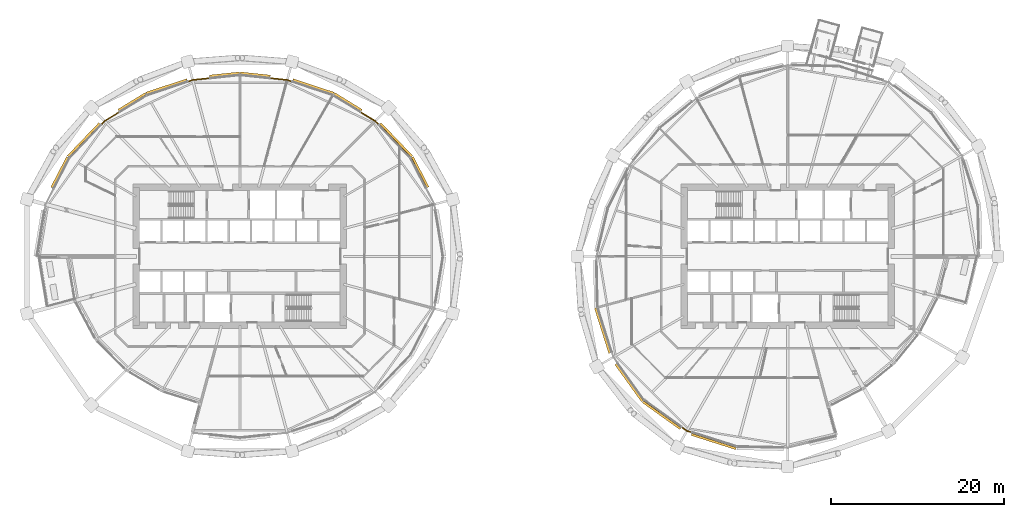
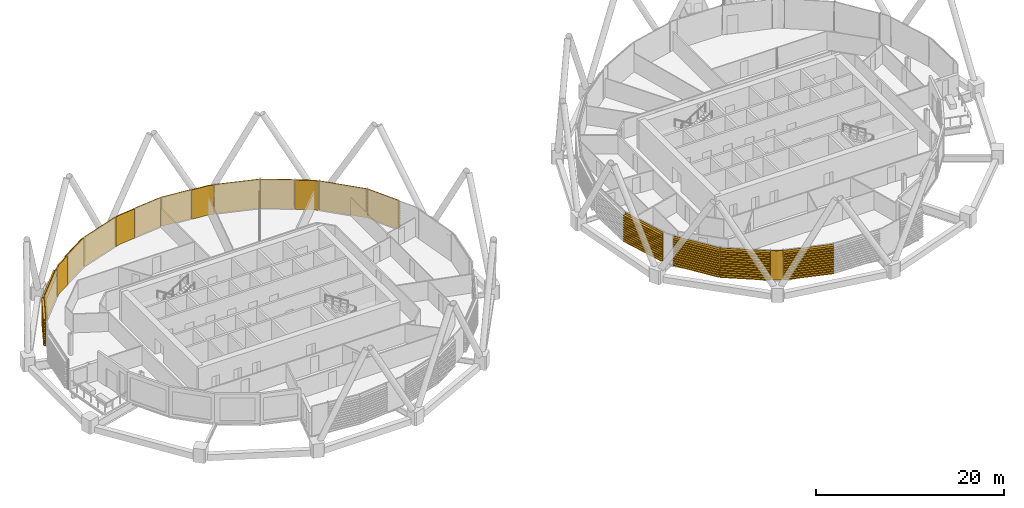
# One storey, part 34 of 38: 19 coverings.
"""IFC4 building model written with IfcOpenShell, lengths in metres."""

from ifc_helpers import new_model, si_unit, direction, frame, origin, place, context, subcontext, project, spatial, polyline, outline, extrude, material, layer, layer_set, material_profile, profile_set, type_object, element, save


model = new_model("IFC4")

# Units and contexts
model_context = context("Model", 3, precision=1e-05, world=origin(), true_north=direction((0.0, 1.0)))
body_context = subcontext(model_context, "Body", "Model", "MODEL_VIEW")
ifc_project = project(units=[si_unit("LENGTHUNIT", "METRE"), si_unit("AREAUNIT", "SQUARE_METRE"), si_unit("VOLUMEUNIT", "CUBIC_METRE"), si_unit("PLANEANGLEUNIT", "RADIAN"), si_unit("MASSUNIT", "GRAM", prefix="KILO")], contexts=[model_context])

# Site, building, storey
site_placement = place(None, origin())
site = spatial("IfcSite", under=ifc_project, at=site_placement, CompositionType="ELEMENT")
building_placement = place(site_placement, origin())
building = spatial("IfcBuilding", under=site, at=building_placement, Name="Rimbun Link Towers", CompositionType="ELEMENT")
storey_placement = place(building_placement, frame((0.0, 0.0, 93.0)))
storey = spatial("IfcBuildingStorey", under=building, at=storey_placement, Name="L22", CompositionType="ELEMENT", Elevation=93.0)

# Coverings
ifc_material_1 = material(Name="Terracotta", Category="masonry")
ifc_layer = layer(ifc_material_1, 0.1201171875)
ifc_layer_set = layer_set([ifc_layer], Name="LINK PIER terracotta cladding 120")
covering_type_1 = type_object("IfcCoveringType", Name="LINK PIER terracotta cladding 120", PredefinedType="CLADDING", material=ifc_layer_set)
covering_1_placement = place(storey_placement, origin())
element("IfcCovering", 1, at=covering_1_placement, inside=storey, type_object=covering_type_1, Name="LINK PIER cladding", PredefinedType="CLADDING", context=body_context, shape_type="SweptSolid", body=[
    extrude(outline(polyline([(-17.78125, 16.678466796875), (-16.102294921875, 15.647705078125), (-15.7080078125, 15.236083984375), (-15.621337890625, 15.319091796875), (-16.0263671875, 15.74169921875), (-17.718505859375, 16.78076171875), (-17.78125, 16.678466796875)])), origin(), (0.0, 0.0, 1.0), 3.800048828125),
])
covering_2_placement = place(storey_placement, origin())
element("IfcCovering", 2, at=covering_2_placement, inside=storey, type_object=covering_type_1, Name="LINK PIER cladding", PredefinedType="CLADDING", context=body_context, shape_type="SweptSolid", body=[
    extrude(outline(polyline([(-28.24267578125, 20.607666015625), (-26.283447265625, 20.4013671875), (-25.742431640625, 20.221923828125), (-25.70458984375, 20.3359375), (-26.258056640625, 20.519287109375), (-28.22998046875, 20.72705078125), (-28.24267578125, 20.607666015625)])), origin(), (0.0, 0.0, 1.0), 3.800048828125),
])
covering_3_placement = place(storey_placement, origin())
element("IfcCovering", 3, at=covering_3_placement, inside=storey, type_object=covering_type_1, Name="LINK PIER cladding", PredefinedType="CLADDING", context=body_context, shape_type="SweptSolid", body=[
    extrude(outline(polyline([(-37.757568359375, 20.221923828125), (-37.216552734375, 20.4013671875), (-35.25732421875, 20.607666015625), (-35.27001953125, 20.72705078125), (-37.241943359375, 20.519287109375), (-37.79541015625, 20.3359375), (-37.757568359375, 20.221923828125)])), origin(), (0.0, 0.0, 1.0), 3.800048828125),
])
covering_4_placement = place(storey_placement, origin())
element("IfcCovering", 4, at=covering_4_placement, inside=storey, type_object=covering_type_1, Name="LINK PIER cladding", PredefinedType="CLADDING", context=body_context, shape_type="SweptSolid", body=[
    extrude(outline(polyline([(-47.7919921875, 15.236083984375), (-47.397705078125, 15.647705078125), (-45.71875, 16.678466796875), (-45.781494140625, 16.78076171875), (-47.4736328125, 15.74169921875), (-47.878662109375, 15.319091796875), (-47.7919921875, 15.236083984375)])), origin(), (0.0, 0.0, 1.0), 3.800048828125),
])
covering_5_placement = place(storey_placement, origin())
element("IfcCovering", 5, at=covering_5_placement, inside=storey, type_object=covering_type_1, Name="LINK PIER cladding", PredefinedType="CLADDING", context=body_context, shape_type="SweptSolid", body=[
    extrude(outline(polyline([(20.644775390625, -20.34814453125), (20.101806640625, -20.175537109375), (19.5166015625, -19.755859375), (19.44677734375, -19.853271484375), (20.047119140625, -20.2841796875), (20.608642578125, -20.462646484375), (20.644775390625, -20.34814453125)])), origin(), (0.0, 0.0, 1.0), 3.800048828125),
])
ifc_material_2 = material(Name="Terracotta", Category="masonry")
ifc_material_profile = material_profile(ifc_material_2, outline(polyline([(0.123046875, 0.0), (0.1630859375, 0.0), (0.1630859375, 0.10009765625), (0.423095703125, 0.10009765625), (0.423095703125, 0.219970703125), (0.1630859375, 0.219970703125), (0.1630859375, 0.39990234375), (0.423095703125, 0.39990234375), (0.423095703125, 0.52001953125), (0.1630859375, 0.52001953125), (0.1630859375, 0.699951171875), (0.423095703125, 0.699951171875), (0.423095703125, 0.820068359375), (0.1630859375, 0.820068359375), (0.1630859375, 1.0), (0.423095703125, 1.0), (0.423095703125, 1.1201171875), (0.1630859375, 1.1201171875), (0.1630859375, 1.300048828125), (0.423095703125, 1.300048828125), (0.423095703125, 1.419921875), (0.1630859375, 1.419921875), (0.1630859375, 1.60009765625), (0.423095703125, 1.60009765625), (0.423095703125, 1.719970703125), (0.1630859375, 1.719970703125), (0.1630859375, 1.89990234375), (0.423095703125, 1.89990234375), (0.423095703125, 2.02001953125), (0.1630859375, 2.02001953125), (0.1630859375, 2.199951171875), (0.423095703125, 2.199951171875), (0.423095703125, 2.320068359375), (0.1630859375, 2.320068359375), (0.1630859375, 2.5), (0.423095703125, 2.5), (0.423095703125, 2.6201171875), (0.1630859375, 2.6201171875), (0.1630859375, 2.800048828125), (0.423095703125, 2.800048828125), (0.423095703125, 2.919921875), (0.1630859375, 2.919921875), (0.1630859375, 3.10009765625), (0.423095703125, 3.10009765625), (0.423095703125, 3.219970703125), (0.1630859375, 3.219970703125), (0.1630859375, 3.39990234375), (0.423095703125, 3.39990234375), (0.423095703125, 3.52001953125), (0.1630859375, 3.52001953125), (0.1630859375, 3.800048828125), (0.123046875, 3.800048828125), (0.123046875, 0.0)])), Name="BAGUETTE 120X300")
ifc_profile_set = profile_set([ifc_material_profile], Name="Terracotta")
covering_type_2 = type_object("IfcCoveringType", Name="TERRACOTTA BAGUETTE 120X300 H3800", PredefinedType="CLADDING", material=ifc_profile_set)
covering_6_placement = place(storey_placement, frame((-12.02099609375, 11.390380859375, 0.0), z_axis=(0.459576472812, -0.888138201879, 0.0), x_axis=(0.888138201879, 0.459576472812, 0.0)))
element("IfcCovering", 6, at=covering_6_placement, inside=storey, type_object=covering_type_2, Name="TERRACOTTA BAGUETTE", PredefinedType="CLADDING", context=body_context, shape_type="SweptSolid", body=[
    extrude(outline(polyline([(0.123046875, 0.0), (0.1630859375, 0.0), (0.1630859375, 0.10009765625), (0.423095703125, 0.10009765625), (0.423095703125, 0.219970703125), (0.1630859375, 0.219970703125), (0.1630859375, 0.39990234375), (0.423095703125, 0.39990234375), (0.423095703125, 0.52001953125), (0.1630859375, 0.52001953125), (0.1630859375, 0.699951171875), (0.423095703125, 0.699951171875), (0.423095703125, 0.820068359375), (0.1630859375, 0.820068359375), (0.1630859375, 1.0), (0.423095703125, 1.0), (0.423095703125, 1.1201171875), (0.1630859375, 1.1201171875), (0.1630859375, 1.300048828125), (0.423095703125, 1.300048828125), (0.423095703125, 1.419921875), (0.1630859375, 1.419921875), (0.1630859375, 1.60009765625), (0.423095703125, 1.60009765625), (0.423095703125, 1.719970703125), (0.1630859375, 1.719970703125), (0.1630859375, 1.89990234375), (0.423095703125, 1.89990234375), (0.423095703125, 2.02001953125), (0.1630859375, 2.02001953125), (0.1630859375, 2.199951171875), (0.423095703125, 2.199951171875), (0.423095703125, 2.320068359375), (0.1630859375, 2.320068359375), (0.1630859375, 2.5), (0.423095703125, 2.5), (0.423095703125, 2.6201171875), (0.1630859375, 2.6201171875), (0.1630859375, 2.800048828125), (0.423095703125, 2.800048828125), (0.423095703125, 2.919921875), (0.1630859375, 2.919921875), (0.1630859375, 3.10009765625), (0.423095703125, 3.10009765625), (0.423095703125, 3.219970703125), (0.1630859375, 3.219970703125), (0.1630859375, 3.39990234375), (0.423095703125, 3.39990234375), (0.423095703125, 3.52001953125), (0.1630859375, 3.52001953125), (0.1630859375, 3.800048828125), (0.123046875, 3.800048828125), (0.123046875, 0.0)])), origin(), (0.0, 0.0, 1.0), 3.935791015625),
])
covering_7_placement = place(storey_placement, frame((-15.687255859375, 15.214599609375, 0.0), z_axis=(0.6920414756, -0.721857739482, 0.0), x_axis=(0.721857739482, 0.6920414756, 0.0)))
element("IfcCovering", 7, at=covering_7_placement, inside=storey, type_object=covering_type_2, Name="TERRACOTTA BAGUETTE", PredefinedType="CLADDING", context=body_context, shape_type="SweptSolid", body=[
    extrude(outline(polyline([(0.123046875, 0.0), (0.1630859375, 0.0), (0.1630859375, 0.10009765625), (0.423095703125, 0.10009765625), (0.423095703125, 0.219970703125), (0.1630859375, 0.219970703125), (0.1630859375, 0.39990234375), (0.423095703125, 0.39990234375), (0.423095703125, 0.52001953125), (0.1630859375, 0.52001953125), (0.1630859375, 0.699951171875), (0.423095703125, 0.699951171875), (0.423095703125, 0.820068359375), (0.1630859375, 0.820068359375), (0.1630859375, 1.0), (0.423095703125, 1.0), (0.423095703125, 1.1201171875), (0.1630859375, 1.1201171875), (0.1630859375, 1.300048828125), (0.423095703125, 1.300048828125), (0.423095703125, 1.419921875), (0.1630859375, 1.419921875), (0.1630859375, 1.60009765625), (0.423095703125, 1.60009765625), (0.423095703125, 1.719970703125), (0.1630859375, 1.719970703125), (0.1630859375, 1.89990234375), (0.423095703125, 1.89990234375), (0.423095703125, 2.02001953125), (0.1630859375, 2.02001953125), (0.1630859375, 2.199951171875), (0.423095703125, 2.199951171875), (0.423095703125, 2.320068359375), (0.1630859375, 2.320068359375), (0.1630859375, 2.5), (0.423095703125, 2.5), (0.423095703125, 2.6201171875), (0.1630859375, 2.6201171875), (0.1630859375, 2.800048828125), (0.423095703125, 2.800048828125), (0.423095703125, 2.919921875), (0.1630859375, 2.919921875), (0.1630859375, 3.10009765625), (0.423095703125, 3.10009765625), (0.423095703125, 3.219970703125), (0.1630859375, 3.219970703125), (0.1630859375, 3.39990234375), (0.423095703125, 3.39990234375), (0.423095703125, 3.52001953125), (0.1630859375, 3.52001953125), (0.1630859375, 3.800048828125), (0.123046875, 3.800048828125), (0.123046875, 0.0)])), origin(), (0.0, 0.0, 1.0), 5.2978515625),
])
covering_8_placement = place(storey_placement, frame((-20.985107421875, 18.6455078125, 0.0), z_axis=(0.852186076531, -0.523238846959, 0.0), x_axis=(0.523238846959, 0.852186076531, 0.0)))
element("IfcCovering", 8, at=covering_8_placement, inside=storey, type_object=covering_type_2, Name="TERRACOTTA BAGUETTE", PredefinedType="CLADDING", context=body_context, shape_type="SweptSolid", body=[
    extrude(outline(polyline([(0.123046875, 0.0), (0.1630859375, 0.0), (0.1630859375, 0.10009765625), (0.423095703125, 0.10009765625), (0.423095703125, 0.219970703125), (0.1630859375, 0.219970703125), (0.1630859375, 0.39990234375), (0.423095703125, 0.39990234375), (0.423095703125, 0.52001953125), (0.1630859375, 0.52001953125), (0.1630859375, 0.699951171875), (0.423095703125, 0.699951171875), (0.423095703125, 0.820068359375), (0.1630859375, 0.820068359375), (0.1630859375, 1.0), (0.423095703125, 1.0), (0.423095703125, 1.1201171875), (0.1630859375, 1.1201171875), (0.1630859375, 1.300048828125), (0.423095703125, 1.300048828125), (0.423095703125, 1.419921875), (0.1630859375, 1.419921875), (0.1630859375, 1.60009765625), (0.423095703125, 1.60009765625), (0.423095703125, 1.719970703125), (0.1630859375, 1.719970703125), (0.1630859375, 1.89990234375), (0.423095703125, 1.89990234375), (0.423095703125, 2.02001953125), (0.1630859375, 2.02001953125), (0.1630859375, 2.199951171875), (0.423095703125, 2.199951171875), (0.423095703125, 2.320068359375), (0.1630859375, 2.320068359375), (0.1630859375, 2.5), (0.423095703125, 2.5), (0.423095703125, 2.6201171875), (0.1630859375, 2.6201171875), (0.1630859375, 2.800048828125), (0.423095703125, 2.800048828125), (0.423095703125, 2.919921875), (0.1630859375, 2.919921875), (0.1630859375, 3.10009765625), (0.423095703125, 3.10009765625), (0.423095703125, 3.219970703125), (0.1630859375, 3.219970703125), (0.1630859375, 3.39990234375), (0.423095703125, 3.39990234375), (0.423095703125, 3.52001953125), (0.1630859375, 3.52001953125), (0.1630859375, 3.800048828125), (0.123046875, 3.800048828125), (0.123046875, 0.0)])), origin(), (0.0, 0.0, 1.0), 3.7294921875),
])
covering_9_placement = place(storey_placement, frame((-25.7138671875, 20.212646484375, 0.0), z_axis=(0.949230755565, -0.314580629871, 0.0), x_axis=(0.314580629871, 0.949230755565, 0.0)))
element("IfcCovering", 9, at=covering_9_placement, inside=storey, type_object=covering_type_2, Name="TERRACOTTA BAGUETTE", PredefinedType="CLADDING", context=body_context, shape_type="SweptSolid", body=[
    extrude(outline(polyline([(0.123046875, 0.0), (0.1630859375, 0.0), (0.1630859375, 0.10009765625), (0.423095703125, 0.10009765625), (0.423095703125, 0.219970703125), (0.1630859375, 0.219970703125), (0.1630859375, 0.39990234375), (0.423095703125, 0.39990234375), (0.423095703125, 0.52001953125), (0.1630859375, 0.52001953125), (0.1630859375, 0.699951171875), (0.423095703125, 0.699951171875), (0.423095703125, 0.820068359375), (0.1630859375, 0.820068359375), (0.1630859375, 1.0), (0.423095703125, 1.0), (0.423095703125, 1.1201171875), (0.1630859375, 1.1201171875), (0.1630859375, 1.300048828125), (0.423095703125, 1.300048828125), (0.423095703125, 1.419921875), (0.1630859375, 1.419921875), (0.1630859375, 1.60009765625), (0.423095703125, 1.60009765625), (0.423095703125, 1.719970703125), (0.1630859375, 1.719970703125), (0.1630859375, 1.89990234375), (0.423095703125, 1.89990234375), (0.423095703125, 2.02001953125), (0.1630859375, 2.02001953125), (0.1630859375, 2.199951171875), (0.423095703125, 2.199951171875), (0.423095703125, 2.320068359375), (0.1630859375, 2.320068359375), (0.1630859375, 2.5), (0.423095703125, 2.5), (0.423095703125, 2.6201171875), (0.1630859375, 2.6201171875), (0.1630859375, 2.800048828125), (0.423095703125, 2.800048828125), (0.423095703125, 2.919921875), (0.1630859375, 2.919921875), (0.1630859375, 3.10009765625), (0.423095703125, 3.10009765625), (0.423095703125, 3.219970703125), (0.1630859375, 3.219970703125), (0.1630859375, 3.39990234375), (0.423095703125, 3.39990234375), (0.423095703125, 3.52001953125), (0.1630859375, 3.52001953125), (0.1630859375, 3.800048828125), (0.123046875, 3.800048828125), (0.123046875, 0.0)])), origin(), (0.0, 0.0, 1.0), 4.981689453125),
])
for number, where, z_axis, x_axis, name in (
    (10, (-31.75, 20.97705078125, 0.0), (0.994500861131, -0.104728397339, 0.0), (0.104728397339, 0.994500861131, 0.0), "TERRACOTTA BAGUETTE"),
    (11, (-35.2275390625, 20.61083984375, 0.0), (0.994500861131, 0.104728397339, 0.0), (-0.104728397339, 0.994500861131, 0.0), "TERRACOTTA BAGUETTE"),
):
    element("IfcCovering", number, at=place(storey_placement, frame(where, z_axis=z_axis, x_axis=x_axis)), inside=storey, type_object=covering_type_2, Name=name, PredefinedType="CLADDING", context=body_context, shape_type="SweptSolid", body=[
        extrude(outline(polyline([(0.123046875, 0.0), (0.1630859375, 0.0), (0.1630859375, 0.10009765625), (0.423095703125, 0.10009765625), (0.423095703125, 0.219970703125), (0.1630859375, 0.219970703125), (0.1630859375, 0.39990234375), (0.423095703125, 0.39990234375), (0.423095703125, 0.52001953125), (0.1630859375, 0.52001953125), (0.1630859375, 0.699951171875), (0.423095703125, 0.699951171875), (0.423095703125, 0.820068359375), (0.1630859375, 0.820068359375), (0.1630859375, 1.0), (0.423095703125, 1.0), (0.423095703125, 1.1201171875), (0.1630859375, 1.1201171875), (0.1630859375, 1.300048828125), (0.423095703125, 1.300048828125), (0.423095703125, 1.419921875), (0.1630859375, 1.419921875), (0.1630859375, 1.60009765625), (0.423095703125, 1.60009765625), (0.423095703125, 1.719970703125), (0.1630859375, 1.719970703125), (0.1630859375, 1.89990234375), (0.423095703125, 1.89990234375), (0.423095703125, 2.02001953125), (0.1630859375, 2.02001953125), (0.1630859375, 2.199951171875), (0.423095703125, 2.199951171875), (0.423095703125, 2.320068359375), (0.1630859375, 2.320068359375), (0.1630859375, 2.5), (0.423095703125, 2.5), (0.423095703125, 2.6201171875), (0.1630859375, 2.6201171875), (0.1630859375, 2.800048828125), (0.423095703125, 2.800048828125), (0.423095703125, 2.919921875), (0.1630859375, 2.919921875), (0.1630859375, 3.10009765625), (0.423095703125, 3.10009765625), (0.423095703125, 3.219970703125), (0.1630859375, 3.219970703125), (0.1630859375, 3.39990234375), (0.423095703125, 3.39990234375), (0.423095703125, 3.52001953125), (0.1630859375, 3.52001953125), (0.1630859375, 3.800048828125), (0.123046875, 3.800048828125), (0.123046875, 0.0)])), origin(), (0.0, 0.0, 1.0), 3.496826171875),
    ])
covering_10_placement = place(storey_placement, frame((-42.514892578125, 18.6455078125, 0.0), z_axis=(0.949230755565, 0.314580629871, 0.0), x_axis=(-0.314580629871, 0.949230755565, 0.0)))
element("IfcCovering", 12, at=covering_10_placement, inside=storey, type_object=covering_type_2, Name="TERRACOTTA BAGUETTE", PredefinedType="CLADDING", context=body_context, shape_type="SweptSolid", body=[
    extrude(outline(polyline([(0.123046875, 0.0), (0.1630859375, 0.0), (0.1630859375, 0.10009765625), (0.423095703125, 0.10009765625), (0.423095703125, 0.219970703125), (0.1630859375, 0.219970703125), (0.1630859375, 0.39990234375), (0.423095703125, 0.39990234375), (0.423095703125, 0.52001953125), (0.1630859375, 0.52001953125), (0.1630859375, 0.699951171875), (0.423095703125, 0.699951171875), (0.423095703125, 0.820068359375), (0.1630859375, 0.820068359375), (0.1630859375, 1.0), (0.423095703125, 1.0), (0.423095703125, 1.1201171875), (0.1630859375, 1.1201171875), (0.1630859375, 1.300048828125), (0.423095703125, 1.300048828125), (0.423095703125, 1.419921875), (0.1630859375, 1.419921875), (0.1630859375, 1.60009765625), (0.423095703125, 1.60009765625), (0.423095703125, 1.719970703125), (0.1630859375, 1.719970703125), (0.1630859375, 1.89990234375), (0.423095703125, 1.89990234375), (0.423095703125, 2.02001953125), (0.1630859375, 2.02001953125), (0.1630859375, 2.199951171875), (0.423095703125, 2.199951171875), (0.423095703125, 2.320068359375), (0.1630859375, 2.320068359375), (0.1630859375, 2.5), (0.423095703125, 2.5), (0.423095703125, 2.6201171875), (0.1630859375, 2.6201171875), (0.1630859375, 2.800048828125), (0.423095703125, 2.800048828125), (0.423095703125, 2.919921875), (0.1630859375, 2.919921875), (0.1630859375, 3.10009765625), (0.423095703125, 3.10009765625), (0.423095703125, 3.219970703125), (0.1630859375, 3.219970703125), (0.1630859375, 3.39990234375), (0.423095703125, 3.39990234375), (0.423095703125, 3.52001953125), (0.1630859375, 3.52001953125), (0.1630859375, 3.800048828125), (0.123046875, 3.800048828125), (0.123046875, 0.0)])), origin(), (0.0, 0.0, 1.0), 4.981689453125),
])
covering_11_placement = place(storey_placement, frame((-45.693115234375, 16.694091796875, 0.0), z_axis=(0.852186076531, 0.523238846959, 0.0), x_axis=(-0.523238846959, 0.852186076531, 0.0)))
element("IfcCovering", 13, at=covering_11_placement, inside=storey, type_object=covering_type_2, Name="TERRACOTTA BAGUETTE", PredefinedType="CLADDING", context=body_context, shape_type="SweptSolid", body=[
    extrude(outline(polyline([(0.123046875, 0.0), (0.1630859375, 0.0), (0.1630859375, 0.10009765625), (0.423095703125, 0.10009765625), (0.423095703125, 0.219970703125), (0.1630859375, 0.219970703125), (0.1630859375, 0.39990234375), (0.423095703125, 0.39990234375), (0.423095703125, 0.52001953125), (0.1630859375, 0.52001953125), (0.1630859375, 0.699951171875), (0.423095703125, 0.699951171875), (0.423095703125, 0.820068359375), (0.1630859375, 0.820068359375), (0.1630859375, 1.0), (0.423095703125, 1.0), (0.423095703125, 1.1201171875), (0.1630859375, 1.1201171875), (0.1630859375, 1.300048828125), (0.423095703125, 1.300048828125), (0.423095703125, 1.419921875), (0.1630859375, 1.419921875), (0.1630859375, 1.60009765625), (0.423095703125, 1.60009765625), (0.423095703125, 1.719970703125), (0.1630859375, 1.719970703125), (0.1630859375, 1.89990234375), (0.423095703125, 1.89990234375), (0.423095703125, 2.02001953125), (0.1630859375, 2.02001953125), (0.1630859375, 2.199951171875), (0.423095703125, 2.199951171875), (0.423095703125, 2.320068359375), (0.1630859375, 2.320068359375), (0.1630859375, 2.5), (0.423095703125, 2.5), (0.423095703125, 2.6201171875), (0.1630859375, 2.6201171875), (0.1630859375, 2.800048828125), (0.423095703125, 2.800048828125), (0.423095703125, 2.919921875), (0.1630859375, 2.919921875), (0.1630859375, 3.10009765625), (0.423095703125, 3.10009765625), (0.423095703125, 3.219970703125), (0.1630859375, 3.219970703125), (0.1630859375, 3.39990234375), (0.423095703125, 3.39990234375), (0.423095703125, 3.52001953125), (0.1630859375, 3.52001953125), (0.1630859375, 3.800048828125), (0.123046875, 3.800048828125), (0.123046875, 0.0)])), origin(), (0.0, 0.0, 1.0), 3.7294921875),
])
covering_12_placement = place(storey_placement, frame((-51.47900390625, 11.390380859375, 0.0), z_axis=(0.6920414756, 0.721857739482, 0.0), x_axis=(-0.721857739482, 0.6920414756, 0.0)))
element("IfcCovering", 14, at=covering_12_placement, inside=storey, type_object=covering_type_2, Name="TERRACOTTA BAGUETTE", PredefinedType="CLADDING", context=body_context, shape_type="SweptSolid", body=[
    extrude(outline(polyline([(0.123046875, 0.0), (0.1630859375, 0.0), (0.1630859375, 0.10009765625), (0.423095703125, 0.10009765625), (0.423095703125, 0.219970703125), (0.1630859375, 0.219970703125), (0.1630859375, 0.39990234375), (0.423095703125, 0.39990234375), (0.423095703125, 0.52001953125), (0.1630859375, 0.52001953125), (0.1630859375, 0.699951171875), (0.423095703125, 0.699951171875), (0.423095703125, 0.820068359375), (0.1630859375, 0.820068359375), (0.1630859375, 1.0), (0.423095703125, 1.0), (0.423095703125, 1.1201171875), (0.1630859375, 1.1201171875), (0.1630859375, 1.300048828125), (0.423095703125, 1.300048828125), (0.423095703125, 1.419921875), (0.1630859375, 1.419921875), (0.1630859375, 1.60009765625), (0.423095703125, 1.60009765625), (0.423095703125, 1.719970703125), (0.1630859375, 1.719970703125), (0.1630859375, 1.89990234375), (0.423095703125, 1.89990234375), (0.423095703125, 2.02001953125), (0.1630859375, 2.02001953125), (0.1630859375, 2.199951171875), (0.423095703125, 2.199951171875), (0.423095703125, 2.320068359375), (0.1630859375, 2.320068359375), (0.1630859375, 2.5), (0.423095703125, 2.5), (0.423095703125, 2.6201171875), (0.1630859375, 2.6201171875), (0.1630859375, 2.800048828125), (0.423095703125, 2.800048828125), (0.423095703125, 2.919921875), (0.1630859375, 2.919921875), (0.1630859375, 3.10009765625), (0.423095703125, 3.10009765625), (0.423095703125, 3.219970703125), (0.1630859375, 3.219970703125), (0.1630859375, 3.39990234375), (0.423095703125, 3.39990234375), (0.423095703125, 3.52001953125), (0.1630859375, 3.52001953125), (0.1630859375, 3.800048828125), (0.123046875, 3.800048828125), (0.123046875, 0.0)])), origin(), (0.0, 0.0, 1.0), 5.2978515625),
])
covering_13_placement = place(storey_placement, frame((-53.310791015625, 7.850341796875, 0.0), z_axis=(0.459567881629, 0.888142647425, 0.0), x_axis=(-0.888142647425, 0.459567881629, 0.0)))
element("IfcCovering", 15, at=covering_13_placement, inside=storey, type_object=covering_type_2, Name="TERRACOTTA BAGUETTE", PredefinedType="CLADDING", context=body_context, shape_type="SweptSolid", body=[
    extrude(outline(polyline([(0.123046875, 0.0), (0.1630859375, 0.0), (0.1630859375, 0.10009765625), (0.423095703125, 0.10009765625), (0.423095703125, 0.219970703125), (0.1630859375, 0.219970703125), (0.1630859375, 0.39990234375), (0.423095703125, 0.39990234375), (0.423095703125, 0.52001953125), (0.1630859375, 0.52001953125), (0.1630859375, 0.699951171875), (0.423095703125, 0.699951171875), (0.423095703125, 0.820068359375), (0.1630859375, 0.820068359375), (0.1630859375, 1.0), (0.423095703125, 1.0), (0.423095703125, 1.1201171875), (0.1630859375, 1.1201171875), (0.1630859375, 1.300048828125), (0.423095703125, 1.300048828125), (0.423095703125, 1.419921875), (0.1630859375, 1.419921875), (0.1630859375, 1.60009765625), (0.423095703125, 1.60009765625), (0.423095703125, 1.719970703125), (0.1630859375, 1.719970703125), (0.1630859375, 1.89990234375), (0.423095703125, 1.89990234375), (0.423095703125, 2.02001953125), (0.1630859375, 2.02001953125), (0.1630859375, 2.199951171875), (0.423095703125, 2.199951171875), (0.423095703125, 2.320068359375), (0.1630859375, 2.320068359375), (0.1630859375, 2.5), (0.423095703125, 2.5), (0.423095703125, 2.6201171875), (0.1630859375, 2.6201171875), (0.1630859375, 2.800048828125), (0.423095703125, 2.800048828125), (0.423095703125, 2.919921875), (0.1630859375, 2.919921875), (0.1630859375, 3.10009765625), (0.423095703125, 3.10009765625), (0.423095703125, 3.219970703125), (0.1630859375, 3.219970703125), (0.1630859375, 3.39990234375), (0.423095703125, 3.39990234375), (0.423095703125, 3.52001953125), (0.1630859375, 3.52001953125), (0.1630859375, 3.800048828125), (0.123046875, 3.800048828125), (0.123046875, 0.0)])), origin(), (0.0, 0.0, 1.0), 3.98583984375),
])
covering_14_placement = place(storey_placement, frame((11.40771484375, -11.124267578125, 0.0), z_axis=(-0.303060378287, 0.952971356921, 0.0), x_axis=(-0.952971356921, -0.303060378287, 0.0)))
element("IfcCovering", 16, at=covering_14_placement, inside=storey, type_object=covering_type_2, Name="TERRACOTTA BAGUETTE", PredefinedType="CLADDING", context=body_context, shape_type="SweptSolid", body=[
    extrude(outline(polyline([(0.123046875, 0.0), (0.1630859375, 0.0), (0.1630859375, 0.10009765625), (0.423095703125, 0.10009765625), (0.423095703125, 0.219970703125), (0.1630859375, 0.219970703125), (0.1630859375, 0.39990234375), (0.423095703125, 0.39990234375), (0.423095703125, 0.52001953125), (0.1630859375, 0.52001953125), (0.1630859375, 0.699951171875), (0.423095703125, 0.699951171875), (0.423095703125, 0.820068359375), (0.1630859375, 0.820068359375), (0.1630859375, 1.0), (0.423095703125, 1.0), (0.423095703125, 1.1201171875), (0.1630859375, 1.1201171875), (0.1630859375, 1.300048828125), (0.423095703125, 1.300048828125), (0.423095703125, 1.419921875), (0.1630859375, 1.419921875), (0.1630859375, 1.60009765625), (0.423095703125, 1.60009765625), (0.423095703125, 1.719970703125), (0.1630859375, 1.719970703125), (0.1630859375, 1.89990234375), (0.423095703125, 1.89990234375), (0.423095703125, 2.02001953125), (0.1630859375, 2.02001953125), (0.1630859375, 2.199951171875), (0.423095703125, 2.199951171875), (0.423095703125, 2.320068359375), (0.1630859375, 2.320068359375), (0.1630859375, 2.5), (0.423095703125, 2.5), (0.423095703125, 2.6201171875), (0.1630859375, 2.6201171875), (0.1630859375, 2.800048828125), (0.423095703125, 2.800048828125), (0.423095703125, 2.919921875), (0.1630859375, 2.919921875), (0.1630859375, 3.10009765625), (0.423095703125, 3.10009765625), (0.423095703125, 3.219970703125), (0.1630859375, 3.219970703125), (0.1630859375, 3.39990234375), (0.423095703125, 3.39990234375), (0.423095703125, 3.52001953125), (0.1630859375, 3.52001953125), (0.1630859375, 3.800048828125), (0.123046875, 3.800048828125), (0.123046875, 0.0)])), origin(), (0.0, 0.0, 1.0), 5.486083984375),
])
covering_15_placement = place(storey_placement, frame((15.136962890625, -16.613037109375, 0.0), z_axis=(-0.582985073228, 0.812482864061, 0.0), x_axis=(-0.812482864061, -0.582985073228, 0.0)))
element("IfcCovering", 17, at=covering_15_placement, inside=storey, type_object=covering_type_2, Name="TERRACOTTA BAGUETTE", PredefinedType="CLADDING", context=body_context, shape_type="SweptSolid", body=[
    extrude(outline(polyline([(0.123046875, 0.0), (0.1630859375, 0.0), (0.1630859375, 0.10009765625), (0.423095703125, 0.10009765625), (0.423095703125, 0.219970703125), (0.1630859375, 0.219970703125), (0.1630859375, 0.39990234375), (0.423095703125, 0.39990234375), (0.423095703125, 0.52001953125), (0.1630859375, 0.52001953125), (0.1630859375, 0.699951171875), (0.423095703125, 0.699951171875), (0.423095703125, 0.820068359375), (0.1630859375, 0.820068359375), (0.1630859375, 1.0), (0.423095703125, 1.0), (0.423095703125, 1.1201171875), (0.1630859375, 1.1201171875), (0.1630859375, 1.300048828125), (0.423095703125, 1.300048828125), (0.423095703125, 1.419921875), (0.1630859375, 1.419921875), (0.1630859375, 1.60009765625), (0.423095703125, 1.60009765625), (0.423095703125, 1.719970703125), (0.1630859375, 1.719970703125), (0.1630859375, 1.89990234375), (0.423095703125, 1.89990234375), (0.423095703125, 2.02001953125), (0.1630859375, 2.02001953125), (0.1630859375, 2.199951171875), (0.423095703125, 2.199951171875), (0.423095703125, 2.320068359375), (0.1630859375, 2.320068359375), (0.1630859375, 2.5), (0.423095703125, 2.5), (0.423095703125, 2.6201171875), (0.1630859375, 2.6201171875), (0.1630859375, 2.800048828125), (0.423095703125, 2.800048828125), (0.423095703125, 2.919921875), (0.1630859375, 2.919921875), (0.1630859375, 3.10009765625), (0.423095703125, 3.10009765625), (0.423095703125, 3.219970703125), (0.1630859375, 3.219970703125), (0.1630859375, 3.39990234375), (0.423095703125, 3.39990234375), (0.423095703125, 3.52001953125), (0.1630859375, 3.52001953125), (0.1630859375, 3.800048828125), (0.123046875, 3.800048828125), (0.123046875, 0.0)])), origin(), (0.0, 0.0, 1.0), 5.310546875),
])
covering_16_placement = place(storey_placement, frame((19.492431640625, -19.73828125, 0.0), z_axis=(-0.812479161919, 0.58299023272, 0.0), x_axis=(-0.58299023272, -0.812479161919, 0.0)))
element("IfcCovering", 18, at=covering_16_placement, inside=storey, type_object=covering_type_2, Name="TERRACOTTA BAGUETTE", PredefinedType="CLADDING", context=body_context, shape_type="SweptSolid", body=[
    extrude(outline(polyline([(0.123046875, 0.0), (0.1630859375, 0.0), (0.1630859375, 0.10009765625), (0.423095703125, 0.10009765625), (0.423095703125, 0.219970703125), (0.1630859375, 0.219970703125), (0.1630859375, 0.39990234375), (0.423095703125, 0.39990234375), (0.423095703125, 0.52001953125), (0.1630859375, 0.52001953125), (0.1630859375, 0.699951171875), (0.423095703125, 0.699951171875), (0.423095703125, 0.820068359375), (0.1630859375, 0.820068359375), (0.1630859375, 1.0), (0.423095703125, 1.0), (0.423095703125, 1.1201171875), (0.1630859375, 1.1201171875), (0.1630859375, 1.300048828125), (0.423095703125, 1.300048828125), (0.423095703125, 1.419921875), (0.1630859375, 1.419921875), (0.1630859375, 1.60009765625), (0.423095703125, 1.60009765625), (0.423095703125, 1.719970703125), (0.1630859375, 1.719970703125), (0.1630859375, 1.89990234375), (0.423095703125, 1.89990234375), (0.423095703125, 2.02001953125), (0.1630859375, 2.02001953125), (0.1630859375, 2.199951171875), (0.423095703125, 2.199951171875), (0.423095703125, 2.320068359375), (0.1630859375, 2.320068359375), (0.1630859375, 2.5), (0.423095703125, 2.5), (0.423095703125, 2.6201171875), (0.1630859375, 2.6201171875), (0.1630859375, 2.800048828125), (0.423095703125, 2.800048828125), (0.423095703125, 2.919921875), (0.1630859375, 2.919921875), (0.1630859375, 3.10009765625), (0.423095703125, 3.10009765625), (0.423095703125, 3.219970703125), (0.1630859375, 3.219970703125), (0.1630859375, 3.39990234375), (0.423095703125, 3.39990234375), (0.423095703125, 3.52001953125), (0.1630859375, 3.52001953125), (0.1630859375, 3.800048828125), (0.123046875, 3.800048828125), (0.123046875, 0.0)])), origin(), (0.0, 0.0, 1.0), 5.360595703125),
])
covering_17_placement = place(storey_placement, frame((25.853759765625, -22.0048828125, 0.0), z_axis=(-0.952967060933, 0.303073886661, 0.0), x_axis=(-0.303073886661, -0.952967060933, 0.0)))
element("IfcCovering", 19, at=covering_17_placement, inside=storey, type_object=covering_type_2, Name="TERRACOTTA BAGUETTE", PredefinedType="CLADDING", context=body_context, shape_type="SweptSolid", body=[
    extrude(outline(polyline([(0.123046875, 0.0), (0.1630859375, 0.0), (0.1630859375, 0.10009765625), (0.423095703125, 0.10009765625), (0.423095703125, 0.219970703125), (0.1630859375, 0.219970703125), (0.1630859375, 0.39990234375), (0.423095703125, 0.39990234375), (0.423095703125, 0.52001953125), (0.1630859375, 0.52001953125), (0.1630859375, 0.699951171875), (0.423095703125, 0.699951171875), (0.423095703125, 0.820068359375), (0.1630859375, 0.820068359375), (0.1630859375, 1.0), (0.423095703125, 1.0), (0.423095703125, 1.1201171875), (0.1630859375, 1.1201171875), (0.1630859375, 1.300048828125), (0.423095703125, 1.300048828125), (0.423095703125, 1.419921875), (0.1630859375, 1.419921875), (0.1630859375, 1.60009765625), (0.423095703125, 1.60009765625), (0.423095703125, 1.719970703125), (0.1630859375, 1.719970703125), (0.1630859375, 1.89990234375), (0.423095703125, 1.89990234375), (0.423095703125, 2.02001953125), (0.1630859375, 2.02001953125), (0.1630859375, 2.199951171875), (0.423095703125, 2.199951171875), (0.423095703125, 2.320068359375), (0.1630859375, 2.320068359375), (0.1630859375, 2.5), (0.423095703125, 2.5), (0.423095703125, 2.6201171875), (0.1630859375, 2.6201171875), (0.1630859375, 2.800048828125), (0.423095703125, 2.800048828125), (0.423095703125, 2.919921875), (0.1630859375, 2.919921875), (0.1630859375, 3.10009765625), (0.423095703125, 3.10009765625), (0.423095703125, 3.219970703125), (0.1630859375, 3.219970703125), (0.1630859375, 3.39990234375), (0.423095703125, 3.39990234375), (0.423095703125, 3.52001953125), (0.1630859375, 3.52001953125), (0.1630859375, 3.800048828125), (0.123046875, 3.800048828125), (0.123046875, 0.0)])), origin(), (0.0, 0.0, 1.0), 5.435791015625),
])

save(model, "model.ifc")
